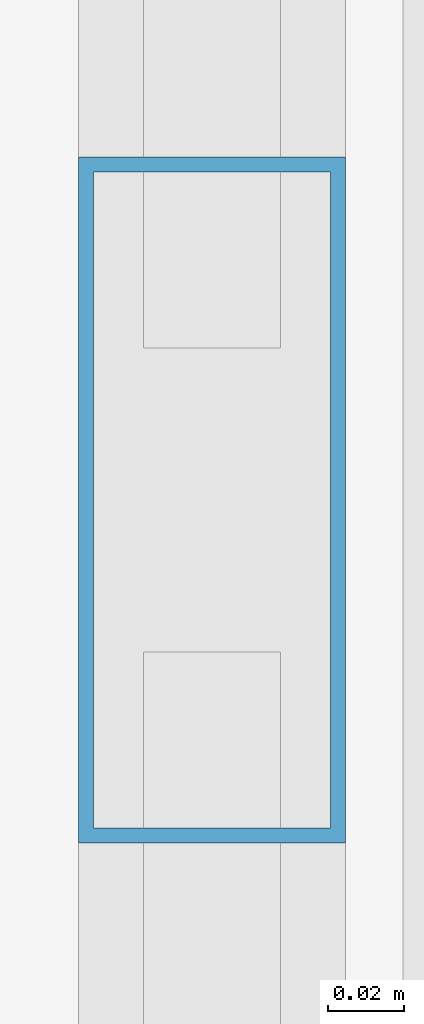
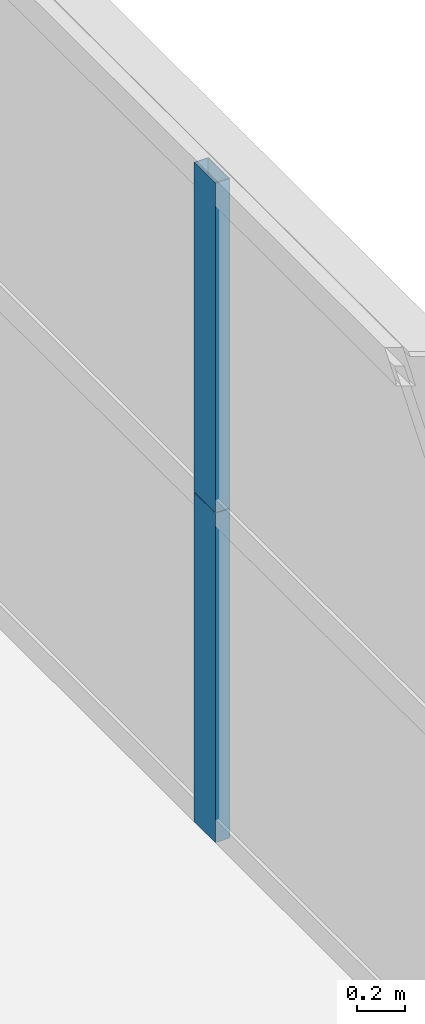
# One storey, part 21 of 46: 2 members, 1 element without a shape of its own.
"""IFC4 building model written with IfcOpenShell, lengths in metres."""

import ifcopenshell
import ifcopenshell.guid

model = None  # the IFC model being written
_history = None  # IfcOwnerHistory: only IFC2X3 demands one
_inside = {}  # id of a spatial element -> (the spatial element, [elements in it])
_under = {}  # id of a project, library or spatial element -> (it, [spatial elements below it])
_declared = {}  # id of a project -> (the project, [libraries it declares])
_typed = {}  # id of a type object -> (the type object, [elements of that type])
_made_of = {}  # id of a material, layer set ... -> (it, [elements and type objects made of it])


def new_model(schema):
    """Start an empty IFC model of exactly this schema.

    Asked for "IFC4X3", IfcOpenShell would pick the latest addendum, in which some entities
    have other attributes; the version numbers below select the first issue.
    IFC2X3 requires an IfcOwnerHistory on every rooted entity: one is made here for all.
    """
    global model, _history
    if schema == "IFC4X3":
        model = ifcopenshell.file(schema_version=(4, 3, 0, 0))
    else:
        model = ifcopenshell.file(schema=schema)
    _inside.clear()
    _under.clear()
    _declared.clear()
    _typed.clear()
    _made_of.clear()
    _history = None
    if model.schema == "IFC2X3":
        org = make("IfcOrganization", Name="unknown")
        user = make(
            "IfcPersonAndOrganization",
            ThePerson=make("IfcPerson", FamilyName="unknown"),
            TheOrganization=org,
        )
        app = make(
            "IfcApplication",
            ApplicationDeveloper=org,
            Version="unknown",
            ApplicationFullName="unknown",
            ApplicationIdentifier="unknown",
        )
        _history = make(
            "IfcOwnerHistory",
            OwningUser=user,
            OwningApplication=app,
            ChangeAction="ADDED",
            CreationDate=0,
        )
    return model


def make(cls, **values):
    """One entity of the class cls with the attributes given. An attribute that is None is left unset."""
    return model.create_entity(
        cls, **{name: value for name, value in values.items() if value is not None}
    )


def rooted(cls, **values):
    """An entity with a GlobalId (a new one), such as an element, a storey or a relation."""
    return make(cls, GlobalId=ifcopenshell.guid.new(), OwnerHistory=_history, **values)


def si_unit(unit_type, name, prefix=None):
    """IfcSIUnit, for example si_unit("LENGTHUNIT", "METRE", prefix="MILLI")."""
    return make("IfcSIUnit", UnitType=unit_type, Prefix=prefix, Name=name)


def assignment(units):
    """IfcUnitAssignment: the units of a project."""
    return None if units is None else make("IfcUnitAssignment", Units=units)


def point(xyz):
    """IfcCartesianPoint."""
    return None if xyz is None else make("IfcCartesianPoint", Coordinates=xyz)


def direction(xyz):
    """IfcDirection."""
    return None if xyz is None else make("IfcDirection", DirectionRatios=xyz)


def frame(location, z_axis=None, x_axis=None):
    """IfcAxis2Placement3D, a coordinate frame: its origin and axes. An axis left out is left unset."""
    return make(
        "IfcAxis2Placement3D",
        Location=point(location),
        Axis=direction(z_axis),
        RefDirection=direction(x_axis),
    )


def frame_2d(location, x_axis=None):
    """IfcAxis2Placement2D, a coordinate frame in the plane: its origin and x axis."""
    return make(
        "IfcAxis2Placement2D", Location=point(location), RefDirection=direction(x_axis)
    )


def origin():
    """The frame at (0, 0, 0) with its axes left unset."""
    return frame((0.0, 0.0, 0.0))


def origin_2d():
    """The frame at (0, 0) in the plane with its x axis left unset."""
    return frame_2d((0.0, 0.0))


def place(relative_to, where):
    """IfcLocalPlacement: puts the frame where relative to a parent placement (None: the world)."""
    return make(
        "IfcLocalPlacement", PlacementRelTo=relative_to, RelativePlacement=where
    )


def context(
    kind, dimensions, precision=None, world=None, true_north=None, identifier=None
):
    """IfcGeometricRepresentationContext, for example the 3D "Model" context."""
    return make(
        "IfcGeometricRepresentationContext",
        ContextIdentifier=identifier,
        ContextType=kind,
        CoordinateSpaceDimension=dimensions,
        Precision=precision,
        WorldCoordinateSystem=world,
        TrueNorth=true_north,
    )


def subcontext(parent, identifier, kind, view, scale=None):
    """IfcGeometricRepresentationSubContext, for example "Body" below "Model"."""
    return make(
        "IfcGeometricRepresentationSubContext",
        ContextIdentifier=identifier,
        ContextType=kind,
        ParentContext=parent,
        TargetScale=scale,
        TargetView=view,
    )


def project(units=None, contexts=None):
    """IfcProject with its units and contexts."""
    return rooted(
        "IfcProject",
        Name="project",
        RepresentationContexts=contexts,
        UnitsInContext=assignment(units),
    )


def spatial(cls, under=None, at=None, **own):
    """A site, building, storey or space (cls), placed at a placement, below another one or the project."""
    s = rooted(cls, ObjectPlacement=at, **own)
    if under is not None:
        _under.setdefault(under.id(), (under, []))[1].append(s)
    return s


def profile(cls, at=None, kind="AREA", **sizes):
    """A parametric profile (cls). Its sizes go by their IFC names, for example OverallWidth=200.0."""
    return make(cls, ProfileType=kind, Position=at, **sizes)


def hollow_rectangle(**sizes):
    """IfcRectangleHollowProfileDef."""
    return profile("IfcRectangleHollowProfileDef", **sizes)


def extrude(swept, where, along, depth):
    """IfcExtrudedAreaSolid: the profile swept, set in the frame where, extruded along a direction by depth."""
    return make(
        "IfcExtrudedAreaSolid",
        SweptArea=swept,
        Position=where,
        ExtrudedDirection=direction(along),
        Depth=depth,
    )


def shape(context_of_items, identifier, shape_type, items):
    """IfcShapeRepresentation: the items that make up one representation, for example the "Body"."""
    return make(
        "IfcShapeRepresentation",
        ContextOfItems=context_of_items,
        RepresentationIdentifier=identifier,
        RepresentationType=shape_type,
        Items=items,
    )


def source(mapping_origin, context_of_items, identifier, shape_type, items):
    """IfcRepresentationMap: a shape defined once, which mapped items show again and again."""
    return make(
        "IfcRepresentationMap",
        MappingOrigin=mapping_origin,
        MappedRepresentation=shape(context_of_items, identifier, shape_type, items),
    )


def transform(
    local_origin,
    x_axis=None,
    y_axis=None,
    z_axis=None,
    scale=None,
    scale2=None,
    scale3=None,
    uniform=True,
):
    """IfcCartesianTransformationOperator3D, or its non-uniform kind. x_axis, y_axis, z_axis: its Axis1, 2, 3."""
    if uniform:
        return make(
            "IfcCartesianTransformationOperator3D",
            Axis1=direction(x_axis),
            Axis2=direction(y_axis),
            LocalOrigin=point(local_origin),
            Scale=scale,
            Axis3=direction(z_axis),
        )
    return make(
        "IfcCartesianTransformationOperator3DnonUniform",
        Axis1=direction(x_axis),
        Axis2=direction(y_axis),
        LocalOrigin=point(local_origin),
        Scale=scale,
        Axis3=direction(z_axis),
        Scale2=scale2,
        Scale3=scale3,
    )


def mapped(mapping_source, mapping_target):
    """IfcMappedItem: shows the shape of a source again, moved by a transform."""
    return make(
        "IfcMappedItem", MappingSource=mapping_source, MappingTarget=mapping_target
    )


def material(Name=None, Category=None):
    """IfcMaterial."""
    return make("IfcMaterial", Name=Name, Category=Category)


def layer(
    of_material, thickness, ventilated=None, Name=None, Category=None, Priority=None
):
    """IfcMaterialLayer: one layer of a wall or slab, of a material (None: an air gap)."""
    return make(
        "IfcMaterialLayer",
        Material=of_material,
        LayerThickness=thickness,
        IsVentilated=ventilated,
        Name=Name,
        Category=Category,
        Priority=Priority,
    )


def layer_set(layers, Name=None):
    """IfcMaterialLayerSet."""
    return make("IfcMaterialLayerSet", MaterialLayers=layers, LayerSetName=Name)


def material_profile(
    of_material, cross_section, Name=None, Category=None, Priority=None
):
    """IfcMaterialProfile: a cross section and its material."""
    return make(
        "IfcMaterialProfile",
        Name=Name,
        Material=of_material,
        Profile=cross_section,
        Priority=Priority,
        Category=Category,
    )


def profile_set(profiles, Name=None, composite=None):
    """IfcMaterialProfileSet."""
    return make(
        "IfcMaterialProfileSet",
        Name=Name,
        MaterialProfiles=profiles,
        CompositeProfile=composite,
    )


def made_of(thing, what):
    """Note that an element or type object is made of a material, layer set ...; save() writes the relation."""
    if what is not None:
        _made_of.setdefault(what.id(), (what, []))[1].append(thing)
    return thing


def type_object(cls, material=None, **own):
    """A type object (cls), such as IfcWallType, which elements share."""
    return made_of(rooted(cls, **own), material)


def element(
    cls,
    number,
    at=None,
    inside=None,
    cuts=None,
    type_object=None,
    material=None,
    context=None,
    identifier="Body",
    shape_type=None,
    held_by="IfcProductDefinitionShape",
    body=None,
    shapes=None,
    **own,
):
    """One element of the class cls, such as IfcWall. Its Tag is "e" and its number.

    at: its placement. inside: the storey or other place that contains it. cuts: it is an
    opening in that element (IfcRelVoidsElement). A single representation is given by context,
    identifier, shape_type and body (its items); several are given by shapes. held_by: the class
    of the entity that holds the representations. save() writes the other relations.
    """
    e = rooted(cls, Tag="e%d" % number, ObjectPlacement=at, **own)
    if body is not None:
        shapes = [shape(context, identifier, shape_type, body)]
    if shapes is not None:
        e.Representation = make(held_by, Representations=shapes)
    if inside is not None:
        _inside.setdefault(inside.id(), (inside, []))[1].append(e)
    if cuts is not None:
        rooted(
            "IfcRelVoidsElement", RelatingBuildingElement=cuts, RelatedOpeningElement=e
        )
    if type_object is not None:
        _typed.setdefault(type_object.id(), (type_object, []))[1].append(e)
    return made_of(e, material)


def aggregate(whole, parts):
    """IfcRelAggregates: a whole, such as a stair, and the parts it consists of."""
    return rooted("IfcRelAggregates", RelatingObject=whole, RelatedObjects=parts)


def save(model, path):
    """Write the relations noted so far, then the file.

    IfcRelAggregates (storeys below a building ...), IfcRelContainedInSpatialStructure (elements
    in a storey), IfcRelDefinesByType, IfcRelAssociatesMaterial and IfcRelDeclares: one each for
    every whole, place, type object, material and project.
    """
    for whole, parts in _under.values():
        aggregate(whole, parts)
    for where, things in _inside.values():
        rooted(
            "IfcRelContainedInSpatialStructure",
            RelatedElements=things,
            RelatingStructure=where,
        )
    for kind, things in _typed.values():
        rooted("IfcRelDefinesByType", RelatedObjects=things, RelatingType=kind)
    for what, things in _made_of.values():
        rooted("IfcRelAssociatesMaterial", RelatedObjects=things, RelatingMaterial=what)
    for by, libraries in _declared.values():
        rooted("IfcRelDeclares", RelatingContext=by, RelatedDefinitions=libraries)
    model.write(path)


model = new_model("IFC4")

# Units and contexts
model_context = context("Model", 3, precision=1e-05, world=origin(), true_north=direction((0.0, 1.0)))
body_context = subcontext(model_context, "Body", "Model", "MODEL_VIEW")
ifc_project = project(units=[si_unit("LENGTHUNIT", "METRE"), si_unit("AREAUNIT", "SQUARE_METRE"), si_unit("VOLUMEUNIT", "CUBIC_METRE"), si_unit("PLANEANGLEUNIT", "RADIAN"), si_unit("MASSUNIT", "GRAM", prefix="KILO"), si_unit("THERMODYNAMICTEMPERATUREUNIT", "KELVIN"), si_unit("POWERUNIT", "WATT")], contexts=[model_context])

# Site, building, storey
site_placement = place(None, origin())
site = spatial("IfcSite", under=ifc_project, at=site_placement, CompositionType="ELEMENT")
building_placement = place(site_placement, origin())
building = spatial("IfcBuilding", under=site, at=building_placement, Name="Yuzanri Waterfront Tower", CompositionType="ELEMENT")
storey_placement = place(building_placement, frame((0.0, 0.0, 56.800048828125)))
storey = spatial("IfcBuildingStorey", under=building, at=storey_placement, Name="L14", CompositionType="ELEMENT", Elevation=56.800048828125)

# Curtain wall, members
ifc_material_1 = material(Name="Anodized Architectural Bronze", Category="metal")
ifc_layer = layer(ifc_material_1, 0.159912109375)
ifc_layer_set = layer_set([ifc_layer], Name="Anodized Architectural Bronze")
curtain_wall_type = type_object("IfcCurtainWallType", Name="Anodized Bronze Hotel Lower-Tier Recessed Unitized Curtain Wall 8100", PredefinedType="NOTDEFINED", material=ifc_layer_set)
curtain_wall_placement = place(storey_placement, origin())
curtain_wall = element("IfcCurtainWall", 1, at=curtain_wall_placement, inside=storey, type_object=curtain_wall_type, Name="L14 Curtain Wall CW-L14-EL", PredefinedType="NOTDEFINED")
ifc_material_2 = material(Name="Anodized Architectural Bronze", Category="metal")
ifc_material_profile = material_profile(ifc_material_2, hollow_rectangle(XDim=0.070068359375, YDim=0.179931640625, WallThickness=0.00390625, at=origin_2d()), Name="CWM 70x180")
ifc_profile_set = profile_set([ifc_material_profile], Name="Anodized Architectural Bronze")
member_type = type_object("IfcMemberType", Name="Anodized Bronze Standard Curtain-Wall Mullion 70x180", PredefinedType="MULLION", material=ifc_profile_set)
shared_shape = source(origin(), body_context, "Body", "SweptSolid", [
    extrude(hollow_rectangle(XDim=0.070068359375, YDim=0.179931640625, WallThickness=0.00390625, at=origin_2d()), origin(), (0.0, 0.0, 1.0), 1.68798828125),
])
member_1_placement = place(storey_placement, frame((61.949951171875, 16.699951171875, 0.0), z_axis=(0.0, 0.0, 1.0), x_axis=(1.0, 0.0, 0.0)))
member_1 = element("IfcMember", 2, at=member_1_placement, type_object=member_type, Name="CW-L14-EL Lower Mullion 01", PredefinedType="MULLION", context=body_context, shape_type="MappedRepresentation", body=[
    mapped(shared_shape, transform((0.0, 0.0, 0.0), scale=1.0)),
])
member_2_placement = place(storey_placement, frame((61.949951171875, 16.699951171875, 1.69189453125), z_axis=(0.0, 0.0, 1.0), x_axis=(1.0, 0.0, 0.0)))
member_2 = element("IfcMember", 3, at=member_2_placement, type_object=member_type, Name="CW-L14-EL Upper Mullion 01", PredefinedType="MULLION", context=body_context, shape_type="MappedRepresentation", body=[
    mapped(shared_shape, transform((0.0, 0.0, 0.0), scale=1.0)),
])
aggregate(curtain_wall, [member_1, member_2])

save(model, "model.ifc")
